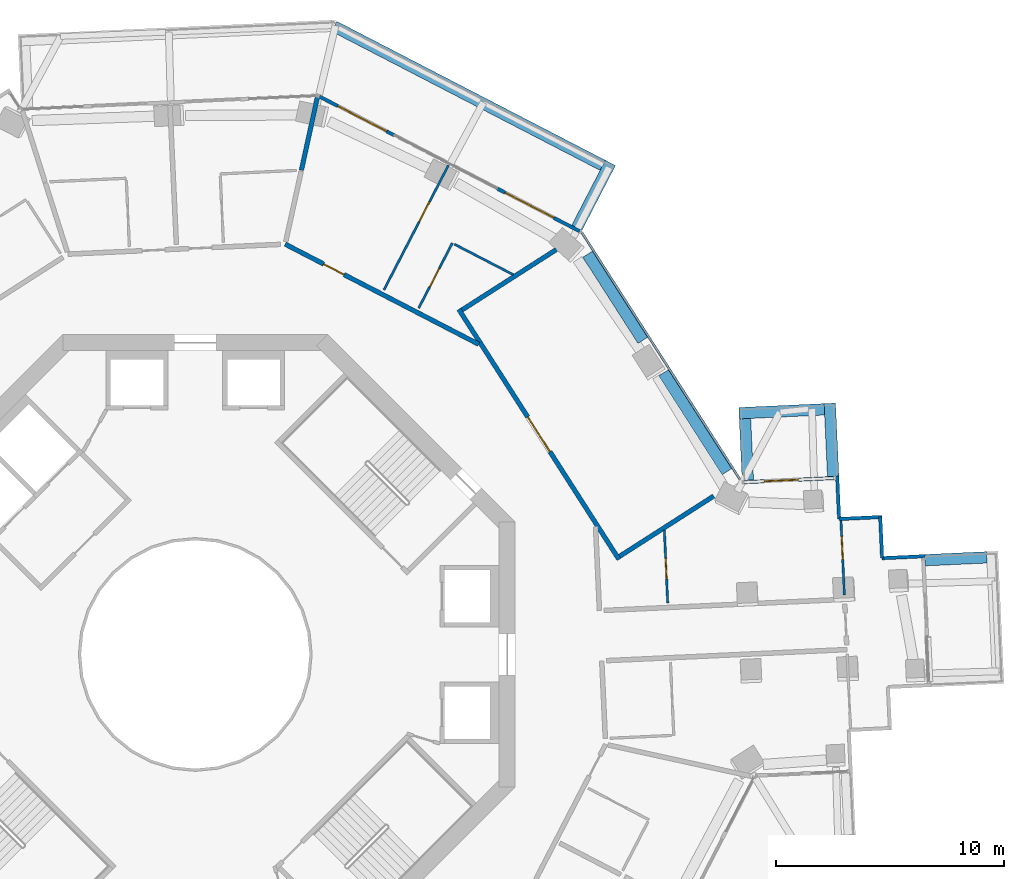
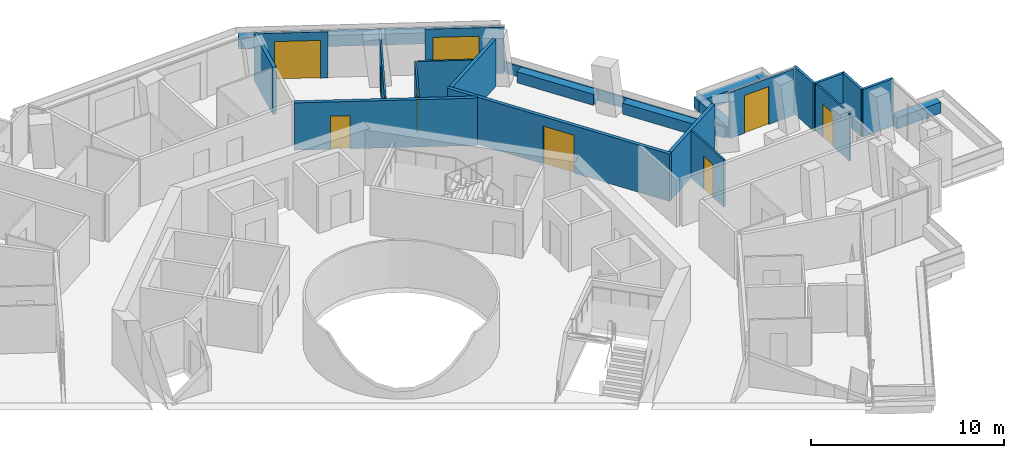
# One storey, part 19 of 22: 26 walls, 9 doors, 9 openings.
"""IFC4 building model written with IfcOpenShell, lengths in metres."""

from ifc_helpers import new_model, si_unit, direction, frame, frame_2d, origin, place, context, subcontext, project, spatial, rectangle, extrude, material, layer, layer_set, type_object, element, fill, save


model = new_model("IFC4")

# Units and contexts
model_context = context("Model", 3, precision=1e-05, world=origin(), true_north=direction((0.0, 1.0)))
body_context = subcontext(model_context, "Body", "Model", "MODEL_VIEW")
ifc_project = project(units=[si_unit("LENGTHUNIT", "METRE"), si_unit("AREAUNIT", "SQUARE_METRE"), si_unit("VOLUMEUNIT", "CUBIC_METRE"), si_unit("PLANEANGLEUNIT", "RADIAN"), si_unit("MASSUNIT", "GRAM", prefix="KILO")], contexts=[model_context])

# Site, building, storey
site_placement = place(None, origin())
site = spatial("IfcSite", under=ifc_project, at=site_placement, CompositionType="ELEMENT")
building_placement = place(site_placement, origin())
building = spatial("IfcBuilding", under=site, at=building_placement, Name="Verdalira Terraces Hotel", CompositionType="ELEMENT")
storey_placement = place(building_placement, frame((0.0, 0.0, 165.5)))
storey = spatial("IfcBuildingStorey", under=building, at=storey_placement, Name="L40", CompositionType="ELEMENT", Elevation=165.5)

# Walls
ifc_material_1 = material(Name="Concrete C40", Category="concrete")
ifc_layer_1 = layer(ifc_material_1, 0.5)
ifc_layer_set_1 = layer_set([ifc_layer_1], Name="Balcony planter trough with tree")
wall_type_1 = type_object("IfcWallType", Name="Balcony planter trough with tree", PredefinedType="SOLIDWALL", material=ifc_layer_set_1)
wall_1_placement = place(storey_placement, frame((34.639648, 4.25, 0.0), z_axis=(0.0, 0.0, 1.0), x_axis=(-0.998939428, -0.046043663, 0.0)))
element("IfcWall", 1, at=wall_1_placement, inside=storey, type_object=wall_type_1, Name="Balcony planter", PredefinedType="SOLIDWALL", context=body_context, shape_type="SweptSolid", body=[
    extrude(rectangle(XDim=2.698975, YDim=0.5, at=frame_2d((1.349609, 0.0))), origin(), (0.0, 0.0, 1.0), 0.699951),
])
wall_2_placement = place(storey_placement, frame((27.919434, 7.795166, 0.0), z_axis=(0.0, 0.0, 1.0), x_axis=(-0.046093051, 0.99893715, 0.0)))
element("IfcWall", 2, at=wall_2_placement, inside=storey, type_object=wall_type_1, Name="Balcony planter", PredefinedType="SOLIDWALL", context=body_context, shape_type="SweptSolid", body=[
    extrude(rectangle(XDim=3.199219, YDim=0.5, at=frame_2d((1.599609, 0.0))), origin(), (0.0, 0.0, 1.0), 0.699951),
])
wall_3_placement = place(storey_placement, frame((27.533691, 10.729492, 0.0), z_axis=(0.0, 0.0, 1.0), x_axis=(-0.99894063, -0.046017587, 0.0)))
element("IfcWall", 3, at=wall_3_placement, inside=storey, type_object=wall_type_1, Name="Balcony planter", PredefinedType="SOLIDWALL", context=body_context, shape_type="SweptSolid", body=[
    extrude(rectangle(XDim=3.740234, YDim=0.5, at=frame_2d((1.870117, 0.0))), origin(), (0.0, 0.0, 1.0), 0.699951),
])
wall_4_placement = place(storey_placement, frame((24.058594, 10.319092, 0.0), z_axis=(0.0, 0.0, 1.0), x_axis=(0.046043663, -0.998939428, 0.0)))
element("IfcWall", 4, at=wall_4_placement, inside=storey, type_object=wall_type_1, Name="Balcony planter", PredefinedType="SOLIDWALL", context=body_context, shape_type="SweptSolid", body=[
    extrude(rectangle(XDim=2.698975, YDim=0.5, at=frame_2d((1.349609, 0.0))), origin(), (0.0, 0.0, 1.0), 0.699951),
])
wall_5_placement = place(storey_placement, frame((16.699951, 18.67334, 0.0), z_axis=(0.0, 0.0, 1.0), x_axis=(0.459595237, 0.888128492, 0.0)))
element("IfcWall", 5, at=wall_5_placement, inside=storey, type_object=wall_type_1, Name="Balcony planter", PredefinedType="SOLIDWALL", context=body_context, shape_type="SweptSolid", body=[
    extrude(rectangle(XDim=3.198975, YDim=0.5, at=frame_2d((1.599609, 0.0))), origin(), (0.0, 0.0, 1.0), 0.699951),
])
wall_6_placement = place(storey_placement, frame((17.833252, 21.407227, 0.0), z_axis=(0.0, 0.0, 1.0), x_axis=(-0.888141512, 0.459570076, 0.0)))
element("IfcWall", 6, at=wall_6_placement, inside=storey, type_object=wall_type_1, Name="Balcony planter", PredefinedType="SOLIDWALL", context=body_context, shape_type="SweptSolid", body=[
    extrude(rectangle(XDim=13.223633, YDim=0.5, at=frame_2d((6.611816, 0.0))), origin(), (0.0, 0.0, 1.0), 0.699951),
])

# Wall, opening, door
ifc_material_2 = material(Name="Moisture-resistant gypsum board partition")
ifc_layer_2 = layer(ifc_material_2, 0.10009765625)
ifc_layer_set_2 = layer_set([ifc_layer_2], Name="Bathroom partition 100 mm")
wall_type_2 = type_object("IfcWallType", Name="Bathroom partition 100 mm", PredefinedType="PARTITIONING", material=ifc_layer_set_2)
wall_7_placement = place(storey_placement, frame((11.07959, 21.411621, 0.0), z_axis=(0.0, 0.0, 1.0), x_axis=(-0.45954063, -0.888156748, 0.0)))
wall_7 = element("IfcWall", 7, at=wall_7_placement, inside=storey, type_object=wall_type_2, Name="Bathroom partition", PredefinedType="PARTITIONING", context=body_context, shape_type="SweptSolid", body=[
    extrude(rectangle(XDim=6.149902, YDim=0.100098, at=frame_2d((3.074951, 0.0))), origin(), (0.0, 0.0, 1.0), 3.0),
])
opening_1_placement = place(wall_7_placement, frame((1.800049, 0.0, 0.0)))
opening_1 = element("IfcOpeningElement", 8, at=opening_1_placement, cuts=wall_7, Name="Opening L40-134", PredefinedType="OPENING", context=body_context, shape_type="SweptSolid", body=[
    extrude(rectangle(XDim=1.0, YDim=2.100098, at=frame_2d((0.5, 1.050049))), frame((0.0, 0.060059, 0.0), z_axis=(0.0, -1.0, 0.0), x_axis=(1.0, 0.0, 0.0)), (0.0, 0.0, 1.0), 0.120117),
])
ifc_material_3 = material(Name="Timber door", Category="wood")
door_type_1 = type_object("IfcDoorType", Name="Suite internal door 1000 x 2100", OperationType="NOTDEFINED", PredefinedType="DOOR", material=ifc_material_3)
door_1_placement = place(opening_1_placement, origin())
door_1 = element("IfcDoor", 9, at=door_1_placement, inside=storey, type_object=door_type_1, Name="Suite internal door 4010", OperationType="SINGLE_SWING_LEFT", OverallHeight=2.10009765625, OverallWidth=1.0, PredefinedType="DOOR", context=body_context, shape_type="SweptSolid", body=[
    extrude(rectangle(XDim=1.0, YDim=2.100098, at=frame_2d((0.5, 1.050049))), frame((0.0, 0.024902, 0.0), z_axis=(0.0, -1.0, 0.0), x_axis=(1.0, 0.0, 0.0)), (0.0, 0.0, 1.0), 0.050049),
])
fill(opening_1, door_1)

wall_8_placement = place(storey_placement, frame((11.25, 18.001709, 0.0), z_axis=(0.0, 0.0, 1.0), x_axis=(-0.459591028, -0.88813067, 0.0)))
wall_8 = element("IfcWall", 10, at=wall_8_placement, inside=storey, type_object=wall_type_2, Name="Bathroom partition", PredefinedType="PARTITIONING", context=body_context, shape_type="SweptSolid", body=[
    extrude(rectangle(XDim=3.199951, YDim=0.100098, at=frame_2d((1.600098, 0.0))), origin(), (0.0, 0.0, 1.0), 3.0),
])
opening_2_placement = place(wall_8_placement, frame((1.25, 0.0, 0.0)))
opening_2 = element("IfcOpeningElement", 11, at=opening_2_placement, cuts=wall_8, Name="Opening L40-135", PredefinedType="OPENING", context=body_context, shape_type="SweptSolid", body=[
    extrude(rectangle(XDim=0.899902, YDim=2.100098, at=frame_2d((0.449951, 1.050049))), frame((0.0, 0.060059, 0.0), z_axis=(0.0, -1.0, 0.0), x_axis=(1.0, 0.0, 0.0)), (0.0, 0.0, 1.0), 0.120117),
])
ifc_material_4 = material(Name="Timber door", Category="wood")
door_type_2 = type_object("IfcDoorType", Name="Bathroom door 900 x 2100", OperationType="NOTDEFINED", PredefinedType="DOOR", material=ifc_material_4)
door_2_placement = place(opening_2_placement, origin())
door_2 = element("IfcDoor", 12, at=door_2_placement, inside=storey, type_object=door_type_2, Name="Bathroom door 4010", OperationType="SINGLE_SWING_LEFT", OverallHeight=2.10009765625, OverallWidth=0.89990234375, PredefinedType="DOOR", context=body_context, shape_type="SweptSolid", body=[
    extrude(rectangle(XDim=0.899902, YDim=2.100098, at=frame_2d((0.449951, 1.050049))), frame((0.0, 0.024902, 0.0), z_axis=(0.0, -1.0, 0.0), x_axis=(1.0, 0.0, 0.0)), (0.0, 0.0, 1.0), 0.050049),
])
fill(opening_2, door_2)

# Wall
wall_9_placement = place(storey_placement, frame((13.925049, 16.617676, 0.0), z_axis=(0.0, 0.0, 1.0), x_axis=(-0.888153926, 0.459546084, 0.0)))
element("IfcWall", 13, at=wall_9_placement, inside=storey, type_object=wall_type_2, Name="Bathroom partition", PredefinedType="PARTITIONING", context=body_context, shape_type="SweptSolid", body=[
    extrude(rectangle(XDim=2.911865, YDim=0.100098, at=frame_2d((1.456055, 0.0))), origin(), (0.0, 0.0, 1.0), 3.0),
])

# Wall, opening, door
wall_10_placement = place(storey_placement, frame((20.676514, 2.254883, 0.0), z_axis=(0.0, 0.0, 1.0), x_axis=(-0.046093051, 0.99893715, 0.0)))
wall_10 = element("IfcWall", 14, at=wall_10_placement, inside=storey, type_object=wall_type_2, Name="Bathroom partition", PredefinedType="PARTITIONING", context=body_context, shape_type="SweptSolid", body=[
    extrude(rectangle(XDim=3.199219, YDim=0.100098, at=frame_2d((1.599609, 0.0))), origin(), (0.0, 0.0, 1.0), 3.0),
])
opening_3_placement = place(wall_10_placement, frame((1.050049, 0.0, 0.0)))
opening_3 = element("IfcOpeningElement", 15, at=opening_3_placement, cuts=wall_10, Name="Opening L40-132", PredefinedType="OPENING", context=body_context, shape_type="SweptSolid", body=[
    extrude(rectangle(XDim=0.899902, YDim=2.100098, at=frame_2d((0.449951, 1.050049))), frame((0.0, 0.060059, 0.0), z_axis=(0.0, -1.0, 0.0), x_axis=(1.0, 0.0, 0.0)), (0.0, 0.0, 1.0), 0.120117),
])
door_3_placement = place(opening_3_placement, origin())
door_3 = element("IfcDoor", 16, at=door_3_placement, inside=storey, type_object=door_type_2, Name="Bathroom door 4009", OperationType="SINGLE_SWING_RIGHT", OverallHeight=2.10009765625, OverallWidth=0.89990234375, PredefinedType="DOOR", context=body_context, shape_type="SweptSolid", body=[
    extrude(rectangle(XDim=0.899902, YDim=2.100098, at=frame_2d((0.449951, 1.050049))), frame((0.0, 0.024902, 0.0), z_axis=(0.0, -1.0, 0.0), x_axis=(1.0, 0.0, 0.0)), (0.0, 0.0, 1.0), 0.050049),
])
fill(opening_3, door_3)

wall_11_placement = place(storey_placement, frame((28.408691, 2.611328, 0.0), z_axis=(0.0, 0.0, 1.0), x_axis=(-0.046123218, 0.998935758, 0.0)))
wall_11 = element("IfcWall", 17, at=wall_11_placement, inside=storey, type_object=wall_type_2, Name="Bathroom partition", PredefinedType="PARTITIONING", context=body_context, shape_type="SweptSolid", body=[
    extrude(rectangle(XDim=3.25, YDim=0.100098, at=frame_2d((1.625, 0.0))), origin(), (0.0, 0.0, 1.0), 3.0),
])
opening_4_placement = place(wall_11_placement, frame((1.550049, 0.0, 0.0)))
opening_4 = element("IfcOpeningElement", 18, at=opening_4_placement, cuts=wall_11, Name="Opening L40-130", PredefinedType="OPENING", context=body_context, shape_type="SweptSolid", body=[
    extrude(rectangle(XDim=1.0, YDim=2.100098, at=frame_2d((0.5, 1.050049))), frame((0.0, 0.060059, 0.0), z_axis=(0.0, -1.0, 0.0), x_axis=(1.0, 0.0, 0.0)), (0.0, 0.0, 1.0), 0.120117),
])
door_4_placement = place(opening_4_placement, origin())
door_4 = element("IfcDoor", 19, at=door_4_placement, inside=storey, type_object=door_type_1, Name="Suite internal door 4009", OperationType="SINGLE_SWING_LEFT", OverallHeight=2.10009765625, OverallWidth=1.0, PredefinedType="DOOR", context=body_context, shape_type="SweptSolid", body=[
    extrude(rectangle(XDim=1.0, YDim=2.100098, at=frame_2d((0.5, 1.050049))), frame((0.0, 0.024902, 0.0), z_axis=(0.0, -1.0, 0.0), x_axis=(1.0, 0.0, 0.0)), (0.0, 0.0, 1.0), 0.050049),
])
fill(opening_4, door_4)

# Wall
ifc_material_5 = material(Name="Fire-rated gypsum board wall")
ifc_layer_3 = layer(ifc_material_5, 0.199951171875)
ifc_layer_set_3 = layer_set([ifc_layer_3], Name="Demising wall 200 mm")
wall_type_3 = type_object("IfcWallType", Name="Demising wall 200 mm", PredefinedType="SOLIDWALL", material=ifc_layer_set_3)
wall_12_placement = place(storey_placement, frame((4.644043, 21.192627, 0.0), z_axis=(0.0, 0.0, 1.0), x_axis=(0.213995362, 0.976834676, 0.0)))
element("IfcWall", 20, at=wall_12_placement, inside=storey, type_object=wall_type_3, Name="Demising wall", PredefinedType="SOLIDWALL", context=body_context, shape_type="SweptSolid", body=[
    extrude(rectangle(XDim=3.268555, YDim=0.199951, at=frame_2d((1.634277, 0.0))), origin(), (0.0, 0.0, 1.0), 3.0),
])

# Wall, opening, door
ifc_material_6 = material(Name="Fire-rated gypsum board wall")
ifc_layer_4 = layer(ifc_material_6, 0.199951171875)
ifc_layer_set_4 = layer_set([ifc_layer_4], Name="Guest corridor wall 200 mm")
wall_type_4 = type_object("IfcWallType", Name="Guest corridor wall 200 mm", PredefinedType="SOLIDWALL", material=ifc_layer_set_4)
wall_13_placement = place(storey_placement, frame((3.935303, 17.95874, 0.0), z_axis=(0.0, 0.0, 1.0), x_axis=(0.888130454, -0.459591446, 0.0)))
wall_13 = element("IfcWall", 21, at=wall_13_placement, inside=storey, type_object=wall_type_4, Name="Guest corridor wall", PredefinedType="SOLIDWALL", context=body_context, shape_type="SweptSolid", body=[
    extrude(rectangle(XDim=9.536865, YDim=0.199951, at=frame_2d((4.768555, 0.0))), origin(), (0.0, 0.0, 1.0), 3.0),
])
opening_5_placement = place(wall_13_placement, frame((1.899902, 0.0, 0.0)))
opening_5 = element("IfcOpeningElement", 22, at=opening_5_placement, cuts=wall_13, Name="Opening L40-133", PredefinedType="OPENING", context=body_context, shape_type="SweptSolid", body=[
    extrude(rectangle(XDim=1.0, YDim=2.100098, at=frame_2d((0.5, 1.050049))), frame((0.0, 0.109863, 0.0), z_axis=(0.0, -1.0, 0.0), x_axis=(1.0, 0.0, 0.0)), (0.0, 0.0, 1.0), 0.219971),
])
ifc_material_7 = material(Name="Timber fire door", Category="wood")
door_type_3 = type_object("IfcDoorType", Name="Guest entry door 1000 x 2100", OperationType="NOTDEFINED", PredefinedType="DOOR", material=ifc_material_7)
door_5_placement = place(opening_5_placement, origin())
door_5 = element("IfcDoor", 23, at=door_5_placement, inside=storey, type_object=door_type_3, Name="Guest entry door 4010", OperationType="SINGLE_SWING_LEFT", OverallHeight=2.10009765625, OverallWidth=1.0, PredefinedType="DOOR", context=body_context, shape_type="SweptSolid", body=[
    extrude(rectangle(XDim=1.0, YDim=2.100098, at=frame_2d((0.5, 1.050049))), frame((0.0, 0.024902, 0.0), z_axis=(0.0, -1.0, 0.0), x_axis=(1.0, 0.0, 0.0)), (0.0, 0.0, 1.0), 0.050049),
])
fill(opening_5, door_5)

ifc_material_8 = material(Name="Terracotta cladding", Category="masonry")
ifc_layer_5 = layer(ifc_material_8, 0.199951171875)
ifc_layer_set_5 = layer_set([ifc_layer_5], Name="Loggia back wall 200")
wall_type_5 = type_object("IfcWallType", Name="Loggia back wall 200", PredefinedType="SOLIDWALL", material=ifc_layer_set_5)
wall_14_placement = place(storey_placement, frame((11.532227, 15.105469, 0.0), z_axis=(0.0, 0.0, 1.0), x_axis=(0.53936062, -0.842074891, 0.0)))
wall_14 = element("IfcWall", 24, at=wall_14_placement, inside=storey, type_object=wall_type_5, Name="Loggia back wall", PredefinedType="SOLIDWALL", context=body_context, shape_type="SweptSolid", body=[
    extrude(rectangle(XDim=13.0, YDim=0.199951, at=frame_2d((6.5, 0.0))), origin(), (0.0, 0.0, 1.0), 3.0),
])
opening_6_placement = place(wall_14_placement, frame((5.600098, 0.0, 0.0)))
opening_6 = element("IfcOpeningElement", 25, at=opening_6_placement, cuts=wall_14, Name="Opening L40-L01", PredefinedType="OPENING", context=body_context, shape_type="SweptSolid", body=[
    extrude(rectangle(XDim=1.800049, YDim=2.399902, at=frame_2d((0.899902, 1.199951))), frame((0.0, 0.109863, 0.0), z_axis=(0.0, -1.0, 0.0), x_axis=(1.0, 0.0, 0.0)), (0.0, 0.0, 1.0), 0.219971),
])
ifc_material_9 = material(Name="Clear glass", Category="glass")
door_type_4 = type_object("IfcDoorType", Name="Garden double door 1800x2400", OperationType="NOTDEFINED", PredefinedType="DOOR", material=ifc_material_9)
door_6_placement = place(opening_6_placement, origin())
door_6 = element("IfcDoor", 26, at=door_6_placement, inside=storey, type_object=door_type_4, Name="Loggia double door", OperationType="DOUBLE_DOOR_SINGLE_SWING", OverallHeight=2.39990234375, OverallWidth=1.800048828125, PredefinedType="DOOR", context=body_context, shape_type="SweptSolid", body=[
    extrude(rectangle(XDim=1.800049, YDim=2.399902, at=frame_2d((0.899902, 1.199951))), frame((0.0, 0.024902, 0.0), z_axis=(0.0, -1.0, 0.0), x_axis=(1.0, 0.0, 0.0)), (0.0, 0.0, 1.0), 0.050049),
])
fill(opening_6, door_6)

# Walls
wall_15_placement = place(storey_placement, frame((22.691406, 6.933838, 0.0), z_axis=(0.0, 0.0, 1.0), x_axis=(-0.842066394, -0.539373885, 0.0)))
element("IfcWall", 27, at=wall_15_placement, inside=storey, type_object=wall_type_5, Name="Loggia side wall", PredefinedType="SOLIDWALL", context=body_context, shape_type="SweptSolid", body=[
    extrude(rectangle(XDim=4.889404, YDim=0.199951, at=frame_2d((2.444824, 0.0))), origin(), (0.0, 0.0, 1.0), 3.0),
])
wall_16_placement = place(storey_placement, frame((15.800049, 17.720215, 0.0), z_axis=(0.0, 0.0, 1.0), x_axis=(-0.842081483, -0.539350327, 0.0)))
element("IfcWall", 28, at=wall_16_placement, inside=storey, type_object=wall_type_5, Name="Loggia side wall", PredefinedType="SOLIDWALL", context=body_context, shape_type="SweptSolid", body=[
    extrude(rectangle(XDim=4.904053, YDim=0.199951, at=frame_2d((2.452148, 0.0))), origin(), (0.0, 0.0, 1.0), 3.0),
])
ifc_material_10 = material(Name="Concrete C40", Category="concrete")
ifc_layer_6 = layer(ifc_material_10, 0.5)
ifc_layer_set_6 = layer_set([ifc_layer_6], Name="Loggia planter trough with tree")
wall_type_6 = type_object("IfcWallType", Name="Loggia planter trough with tree", PredefinedType="SOLIDWALL", material=ifc_layer_set_6)
wall_17_placement = place(storey_placement, frame((23.267822, 8.000244, 0.0), z_axis=(0.0, 0.0, 1.0), x_axis=(-0.539375927, 0.842065086, 0.0)))
element("IfcWall", 29, at=wall_17_placement, inside=storey, type_object=wall_type_6, Name="Loggia planter", PredefinedType="SOLIDWALL", context=body_context, shape_type="SweptSolid", body=[
    extrude(rectangle(XDim=5.137939, YDim=0.5, at=frame_2d((2.568848, 0.0))), origin(), (0.0, 0.0, 1.0), 0.699951),
])
wall_18_placement = place(storey_placement, frame((19.585693, 13.749023, 0.0), z_axis=(0.0, 0.0, 1.0), x_axis=(-0.539375623, 0.842065281, 0.0)))
element("IfcWall", 30, at=wall_18_placement, inside=storey, type_object=wall_type_6, Name="Loggia planter", PredefinedType="SOLIDWALL", context=body_context, shape_type="SweptSolid", body=[
    extrude(rectangle(XDim=4.475586, YDim=0.5, at=frame_2d((2.237793, 0.0))), origin(), (0.0, 0.0, 1.0), 0.699951),
])
ifc_material_11 = material(Name="Concrete C40", Category="concrete")
ifc_layer_7 = layer(ifc_material_11, 0.10009765625)
ifc_layer_set_7 = layer_set([ifc_layer_7], Name="Loggia upstand 100")
wall_type_7 = type_object("IfcWallType", Name="Loggia upstand 100", PredefinedType="SOLIDWALL", material=ifc_layer_set_7)
wall_19_placement = place(storey_placement, frame((23.8479, 7.650879, 0.0), z_axis=(0.0, 0.0, 1.0), x_axis=(-0.539354737, 0.842078659, 0.0)))
element("IfcWall", 31, at=wall_19_placement, inside=storey, type_object=wall_type_7, Name="Loggia upstand", PredefinedType="SOLIDWALL", context=body_context, shape_type="SweptSolid", body=[
    extrude(rectangle(XDim=12.839844, YDim=0.100098, at=frame_2d((6.419922, 0.0))), origin(), (0.0, 0.0, 1.0), 0.699951),
])
ifc_material_12 = material(Name="Terracotta cladding", Category="masonry")
ifc_layer_8 = layer(ifc_material_12, 0.14990234375)
ifc_layer_set_8 = layer_set([ifc_layer_8], Name="Terracotta clad wall 150")
wall_type_8 = type_object("IfcWallType", Name="Terracotta clad wall 150", PredefinedType="SOLIDWALL", material=ifc_layer_set_8)
wall_20_placement = place(storey_placement, frame((31.93457, 4.300537, 0.0), z_axis=(0.0, 0.0, 1.0), x_axis=(-0.998937163, -0.046092773, 0.0)))
element("IfcWall", 32, at=wall_20_placement, inside=storey, type_object=wall_type_8, Name="Terracotta cladding wall", PredefinedType="SOLIDWALL", context=body_context, shape_type="SweptSolid", body=[
    extrude(rectangle(XDim=1.875, YDim=0.149902, at=frame_2d((0.9375, 0.0))), origin(), (0.0, 0.0, 1.0), 3.0),
])
wall_21_placement = place(storey_placement, frame((30.061523, 4.214111, 0.0), z_axis=(0.0, 0.0, 1.0), x_axis=(-0.045979832, 0.998942368, 0.0)))
element("IfcWall", 33, at=wall_21_placement, inside=storey, type_object=wall_type_8, Name="Terracotta cladding wall", PredefinedType="SOLIDWALL", context=body_context, shape_type="SweptSolid", body=[
    extrude(rectangle(XDim=1.800049, YDim=0.149902, at=frame_2d((0.899902, 0.0))), origin(), (0.0, 0.0, 1.0), 3.0),
])
wall_22_placement = place(storey_placement, frame((30.053467, 6.015625, 0.0), z_axis=(0.0, 0.0, 1.0), x_axis=(-0.998936887, -0.046098769, 0.0)))
element("IfcWall", 34, at=wall_22_placement, inside=storey, type_object=wall_type_8, Name="Terracotta cladding wall", PredefinedType="SOLIDWALL", context=body_context, shape_type="SweptSolid", body=[
    extrude(rectangle(XDim=1.874756, YDim=0.149902, at=frame_2d((0.9375, 0.0))), origin(), (0.0, 0.0, 1.0), 3.0),
])
wall_23_placement = place(storey_placement, frame((28.180664, 5.929199, 0.0), z_axis=(0.0, 0.0, 1.0), x_axis=(-0.046092773, 0.998937163, 0.0)))
element("IfcWall", 35, at=wall_23_placement, inside=storey, type_object=wall_type_8, Name="Terracotta cladding wall", PredefinedType="SOLIDWALL", context=body_context, shape_type="SweptSolid", body=[
    extrude(rectangle(XDim=1.875, YDim=0.149902, at=frame_2d((0.9375, 0.0))), origin(), (0.0, 0.0, 1.0), 3.0),
])

# Wall, opening, door
ifc_material_13 = material(Name="Terracotta cladding", Category="masonry")
ifc_layer_9 = layer(ifc_material_13, 0.14990234375)
ifc_layer_set_9 = layer_set([ifc_layer_9], Name="Terracotta door pier 150")
wall_type_9 = type_object("IfcWallType", Name="Terracotta door pier 150", PredefinedType="SOLIDWALL", material=ifc_layer_set_9)
wall_24_placement = place(storey_placement, frame((27.952881, 7.720703, 0.0), z_axis=(0.0, 0.0, 1.0), x_axis=(-0.998939542, -0.0460412, 0.0)))
wall_24 = element("IfcWall", 36, at=wall_24_placement, inside=storey, type_object=wall_type_9, Name="Terracotta door pier", PredefinedType="SOLIDWALL", context=body_context, shape_type="SweptSolid", body=[
    extrude(rectangle(XDim=3.950439, YDim=0.149902, at=frame_2d((1.975098, 0.0))), origin(), (0.0, 0.0, 1.0), 2.935059),
])
opening_7_placement = place(wall_24_placement, frame((1.553955, 0.0, 0.0)))
opening_7 = element("IfcOpeningElement", 37, at=opening_7_placement, cuts=wall_24, Name="Opening L40-B12", PredefinedType="OPENING", context=body_context, shape_type="SweptSolid", body=[
    extrude(rectangle(XDim=1.5, YDim=2.399902, at=frame_2d((0.75, 1.199951))), frame((0.0, 0.084961, 0.0), z_axis=(0.0, -1.0, 0.0), x_axis=(1.0, 0.0, 0.0)), (0.0, 0.0, 1.0), 0.169922),
])
ifc_material_14 = material(Name="Clear glass", Category="glass")
door_type_5 = type_object("IfcDoorType", Name="Balcony sliding door 1500x2400", OperationType="NOTDEFINED", PredefinedType="DOOR", material=ifc_material_14)
door_7_placement = place(opening_7_placement, origin())
door_7 = element("IfcDoor", 38, at=door_7_placement, inside=storey, type_object=door_type_5, Name="Balcony sliding door", OperationType="SLIDING_TO_LEFT", OverallHeight=2.39990234375, OverallWidth=1.5, PredefinedType="DOOR", context=body_context, shape_type="SweptSolid", body=[
    extrude(rectangle(XDim=1.5, YDim=2.399902, at=frame_2d((0.75, 1.199951))), frame((0.0, 0.024902, 0.0), z_axis=(0.0, -1.0, 0.0), x_axis=(1.0, 0.0, 0.0)), (0.0, 0.0, 1.0), 0.050049),
])
fill(opening_7, door_7)

wall_25_placement = place(storey_placement, frame((16.83374, 18.518311, 0.0), z_axis=(0.0, 0.0, 1.0), x_axis=(-0.888127677, 0.459596813, 0.0)))
wall_25 = element("IfcWall", 39, at=wall_25_placement, inside=storey, type_object=wall_type_9, Name="Terracotta door pier", PredefinedType="SOLIDWALL", context=body_context, shape_type="SweptSolid", body=[
    extrude(rectangle(XDim=4.08667, YDim=0.149902, at=frame_2d((2.043457, 0.0))), origin(), (0.0, 0.0, 1.0), 2.935059),
])
opening_8_placement = place(wall_25_placement, frame((1.286621, 0.0, 0.0)))
opening_8 = element("IfcOpeningElement", 40, at=opening_8_placement, cuts=wall_25, Name="Opening L40-B13", PredefinedType="OPENING", context=body_context, shape_type="SweptSolid", body=[
    extrude(rectangle(XDim=2.399902, YDim=2.399902, at=frame_2d((1.199951, 1.199951))), frame((0.0, 0.084961, 0.0), z_axis=(0.0, -1.0, 0.0), x_axis=(1.0, 0.0, 0.0)), (0.0, 0.0, 1.0), 0.169922),
])
ifc_material_15 = material(Name="Clear glass", Category="glass")
door_type_6 = type_object("IfcDoorType", Name="Balcony sliding door 2400x2400", OperationType="NOTDEFINED", PredefinedType="DOOR", material=ifc_material_15)
door_8_placement = place(opening_8_placement, origin())
door_8 = element("IfcDoor", 41, at=door_8_placement, inside=storey, type_object=door_type_6, Name="Balcony sliding door", OperationType="SLIDING_TO_LEFT", OverallHeight=2.39990234375, OverallWidth=2.39990234375, PredefinedType="DOOR", context=body_context, shape_type="SweptSolid", body=[
    extrude(rectangle(XDim=2.399902, YDim=2.399902, at=frame_2d((1.199951, 1.199951))), frame((0.0, 0.024902, 0.0), z_axis=(0.0, -1.0, 0.0), x_axis=(1.0, 0.0, 0.0)), (0.0, 0.0, 1.0), 0.050049),
])
fill(opening_8, door_8)

wall_26_placement = place(storey_placement, frame((8.725342, 22.714111, 0.0), z_axis=(0.0, 0.0, 1.0), x_axis=(-0.888115772, 0.459619817, 0.0)))
wall_26 = element("IfcWall", 42, at=wall_26_placement, inside=storey, type_object=wall_type_9, Name="Terracotta door pier", PredefinedType="SOLIDWALL", context=body_context, shape_type="SweptSolid", body=[
    extrude(rectangle(XDim=3.710205, YDim=0.149902, at=frame_2d((1.85498, 0.0))), origin(), (0.0, 0.0, 1.0), 2.935059),
])
opening_9_placement = place(wall_26_placement, frame((0.399902, 0.0, 0.0)))
opening_9 = element("IfcOpeningElement", 43, at=opening_9_placement, cuts=wall_26, Name="Opening L40-B14", PredefinedType="OPENING", context=body_context, shape_type="SweptSolid", body=[
    extrude(rectangle(XDim=2.399902, YDim=2.399902, at=frame_2d((1.199951, 1.199951))), frame((0.0, 0.084961, 0.0), z_axis=(0.0, -1.0, 0.0), x_axis=(1.0, 0.0, 0.0)), (0.0, 0.0, 1.0), 0.169922),
])
door_9_placement = place(opening_9_placement, origin())
door_9 = element("IfcDoor", 44, at=door_9_placement, inside=storey, type_object=door_type_6, Name="Balcony sliding door", OperationType="SLIDING_TO_RIGHT", OverallHeight=2.39990234375, OverallWidth=2.39990234375, PredefinedType="DOOR", context=body_context, shape_type="SweptSolid", body=[
    extrude(rectangle(XDim=2.399902, YDim=2.399902, at=frame_2d((1.199951, 1.199951))), frame((0.0, 0.024902, 0.0), z_axis=(0.0, -1.0, 0.0), x_axis=(1.0, 0.0, 0.0)), (0.0, 0.0, 1.0), 0.050049),
])
fill(opening_9, door_9)

save(model, "model.ifc")
